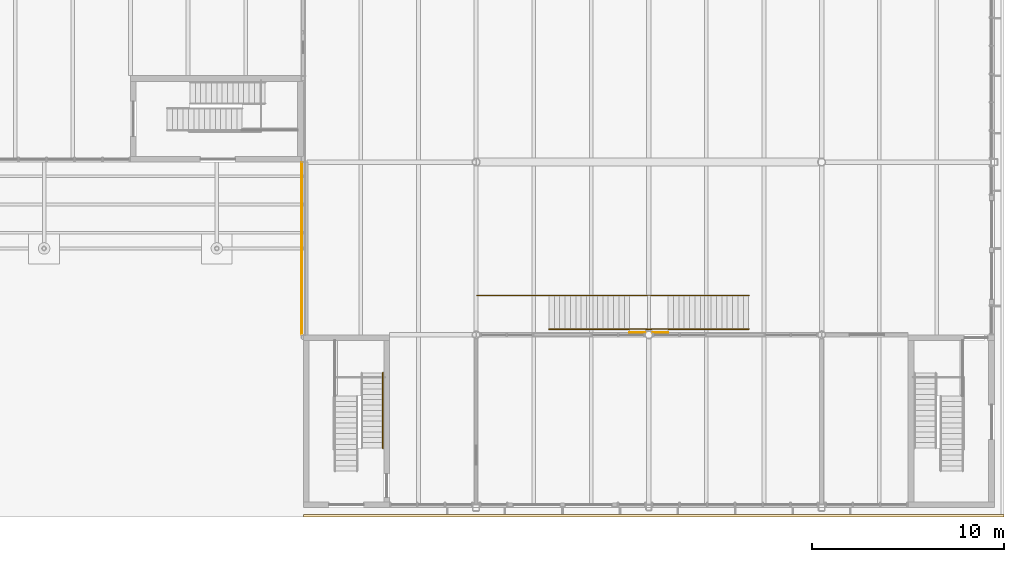
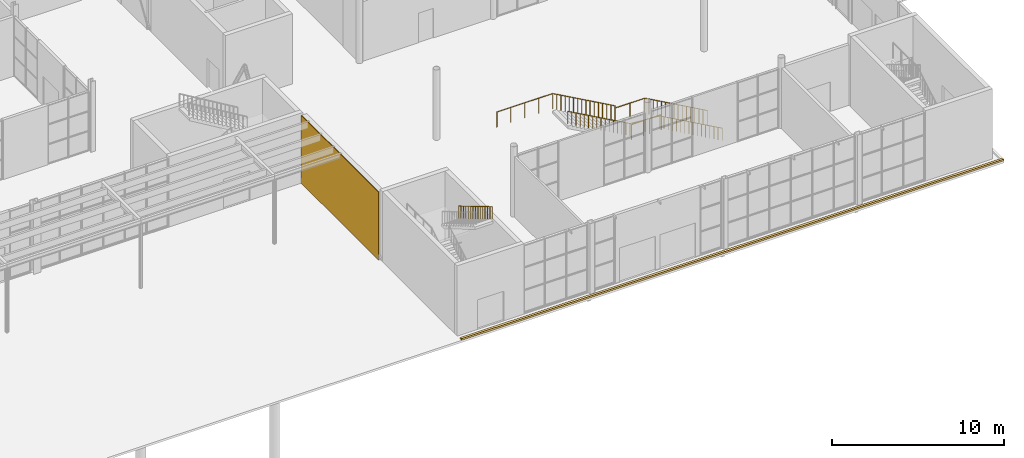
# One storey, part 57 of 63: 5 railings, 2 coverings.
"""IFC4 building model written with IfcOpenShell, lengths in metres."""

from ifc_helpers import new_model, si_unit, direction, frame, frame_2d, origin, origin_2d, place, context, subcontext, project, spatial, polyline, rectangle, circle, outline, extrude, material, layer, layer_set, type_object, element, save


model = new_model("IFC4")

# Units and contexts
model_context = context("Model", 3, precision=1e-05, world=origin(), true_north=direction((0.0, 1.0)))
body_context = subcontext(model_context, "Body", "Model", "MODEL_VIEW")
ifc_project = project(units=[si_unit("LENGTHUNIT", "METRE"), si_unit("AREAUNIT", "SQUARE_METRE"), si_unit("VOLUMEUNIT", "CUBIC_METRE"), si_unit("PLANEANGLEUNIT", "RADIAN"), si_unit("MASSUNIT", "GRAM", prefix="KILO")], contexts=[model_context])

# Site, building, storey
site_placement = place(None, origin())
site = spatial("IfcSite", under=ifc_project, at=site_placement, CompositionType="ELEMENT")
building_placement = place(site_placement, origin())
building = spatial("IfcBuilding", under=site, at=building_placement, Name="Halyard Row Museum", CompositionType="ELEMENT")
storey_placement = place(building_placement, origin())
storey = spatial("IfcBuildingStorey", under=building, at=storey_placement, Name="L00", CompositionType="ELEMENT", Elevation=0.0)

# Railings
ifc_material_1 = material(Name="Steel Grade 300", Category="steel")
railing_type_1 = type_object("IfcRailingType", Name="Guard GR2 steel balustrade 1100", PredefinedType="GUARDRAIL", material=ifc_material_1)
railing_1_placement = place(storey_placement, frame((95.199951171875, 11.050048828125, 0.15625)))
element("IfcRailing", 1, at=railing_1_placement, inside=storey, type_object=railing_type_1, Name="Guard GR128", PredefinedType="GUARDRAIL", context=body_context, shape_type="SweptSolid", body=[
    extrude(circle(Radius=0.02392578125, at=origin_2d()), frame((0.0, 0.0, 1.076171875), z_axis=(-0.873257974695, 0.0, 0.487258155017), x_axis=(0.0, -1.0, 0.0)), (0.0, 0.0, 1.0), 0.320556640625),
    extrude(circle(Radius=0.02392578125, at=origin_2d()), frame((-0.280029296875, 0.0, 1.232421875), z_axis=(-0.873257974695, 0.0, 0.487258155017), x_axis=(0.0, -1.0, 0.0)), (0.0, 0.0, 1.0), 0.320556640625),
    extrude(circle(Radius=0.02392578125, at=origin_2d()), frame((-0.56005859375, 0.0, 1.388671875), z_axis=(-0.873077036347, 0.0, 0.487582289059), x_axis=(0.0, -1.0, 0.0)), (0.0, 0.0, 1.0), 0.320556640625),
    extrude(circle(Radius=0.02392578125, at=origin_2d()), frame((-0.83984375, 0.0, 1.544921875), z_axis=(-0.873257974695, 0.0, 0.487258155017), x_axis=(0.0, -1.0, 0.0)), (0.0, 0.0, 1.0), 0.320556640625),
    extrude(circle(Radius=0.02392578125, at=origin_2d()), frame((-1.119873046875, 0.0, 1.701171875), z_axis=(-0.873257974695, 0.0, 0.487258155017), x_axis=(0.0, -1.0, 0.0)), (0.0, 0.0, 1.0), 0.320556640625),
    extrude(circle(Radius=0.02392578125, at=origin_2d()), frame((-1.39990234375, 0.0, 1.857421875), z_axis=(-0.873257974695, 0.0, 0.487258155017), x_axis=(0.0, -1.0, 0.0)), (0.0, 0.0, 1.0), 0.320556640625),
    extrude(circle(Radius=0.02392578125, at=origin_2d()), frame((-1.679931640625, 0.0, 2.013671875), z_axis=(-0.873257974695, 0.0, 0.487258155017), x_axis=(0.0, -1.0, 0.0)), (0.0, 0.0, 1.0), 0.320556640625),
    extrude(circle(Radius=0.02392578125, at=origin_2d()), frame((-1.9599609375, 0.0, 2.169921875), z_axis=(-0.873257974695, 0.0, 0.487258155017), x_axis=(0.0, -1.0, 0.0)), (0.0, 0.0, 1.0), 0.320556640625),
    extrude(circle(Radius=0.02392578125, at=origin_2d()), frame((-2.239990234375, 0.0, 2.326171875), z_axis=(-0.873257974695, 0.0, 0.487258155017), x_axis=(0.0, -1.0, 0.0)), (0.0, 0.0, 1.0), 0.320556640625),
    extrude(circle(Radius=0.02392578125, at=origin_2d()), frame((-2.52001953125, 0.0, 2.482421875), z_axis=(-0.873257974695, 0.0, 0.487258155017), x_axis=(0.0, -1.0, 0.0)), (0.0, 0.0, 1.0), 0.320556640625),
    extrude(circle(Radius=0.02392578125, at=origin_2d()), frame((-2.800048828125, 0.0, 2.638671875), z_axis=(-0.873077036347, 0.0, 0.487582289059), x_axis=(0.0, -1.0, 0.0)), (0.0, 0.0, 1.0), 0.320556640625),
    extrude(circle(Radius=0.02392578125, at=origin_2d()), frame((-3.079833984375, 0.0, 2.794921875), z_axis=(-0.873257974695, 0.0, 0.487258155017), x_axis=(0.0, -1.0, 0.0)), (0.0, 0.0, 1.0), 0.320556640625),
    extrude(circle(Radius=0.02392578125, at=origin_2d()), frame((-3.35986328125, 0.0, 2.951171875), z_axis=(-0.873257974695, 0.0, 0.487258155017), x_axis=(0.0, -1.0, 0.0)), (0.0, 0.0, 1.0), 0.320556640625),
    extrude(circle(Radius=0.02392578125, at=origin_2d()), frame((-3.639892578125, 0.0, 3.107421875), z_axis=(-0.873257974695, 0.0, 0.487258155017), x_axis=(0.0, -1.0, 0.0)), (0.0, 0.0, 1.0), 0.320556640625),
    extrude(circle(Radius=0.02392578125, at=origin_2d()), frame((-3.919921875, 0.0, 3.263671875), z_axis=(-0.873257974695, 0.0, 0.487258155017), x_axis=(0.0, -1.0, 0.0)), (0.0, 0.0, 1.0), 0.320556640625),
    extrude(circle(Radius=0.02392578125, at=origin_2d()), frame((-4.199951171875, 0.0, 3.419921875), z_axis=(-1.0, 0.0, 0.0), x_axis=(0.0, -1.0, 0.0)), (0.0, 0.0, 1.0), 2.0),
    extrude(circle(Radius=0.02392578125, at=origin_2d()), frame((-6.199951171875, 0.0, 3.419921875), z_axis=(0.0, 0.0, 1.0), x_axis=(1.0, 0.0, 0.0)), (0.0, 0.0, 1.0), 0.15625),
    extrude(circle(Radius=0.02392578125, at=origin_2d()), frame((-6.199951171875, 0.0, 3.576171875), z_axis=(-0.873257974695, 0.0, 0.487258155017), x_axis=(0.0, -1.0, 0.0)), (0.0, 0.0, 1.0), 0.320556640625),
    extrude(circle(Radius=0.02392578125, at=origin_2d()), frame((-6.47998046875, 0.0, 3.732421875), z_axis=(-0.873257974695, 0.0, 0.487258155017), x_axis=(0.0, -1.0, 0.0)), (0.0, 0.0, 1.0), 0.320556640625),
    extrude(circle(Radius=0.02392578125, at=origin_2d()), frame((-6.760009765625, 0.0, 3.888671875), z_axis=(-0.873257974695, 0.0, 0.487258155017), x_axis=(0.0, -1.0, 0.0)), (0.0, 0.0, 1.0), 0.320556640625),
    extrude(circle(Radius=0.02392578125, at=origin_2d()), frame((-7.0400390625, 0.0, 4.044921875), z_axis=(-0.873257974695, 0.0, 0.487258155017), x_axis=(0.0, -1.0, 0.0)), (0.0, 0.0, 1.0), 0.320556640625),
    extrude(circle(Radius=0.02392578125, at=origin_2d()), frame((-7.320068359375, 0.0, 4.201171875), z_axis=(-0.873077036347, 0.0, 0.487582289059), x_axis=(0.0, -1.0, 0.0)), (0.0, 0.0, 1.0), 0.320556640625),
    extrude(circle(Radius=0.02392578125, at=origin_2d()), frame((-7.599853515625, 0.0, 4.357421875), z_axis=(-0.873257974695, 0.0, 0.487258155017), x_axis=(0.0, -1.0, 0.0)), (0.0, 0.0, 1.0), 0.320556640625),
    extrude(circle(Radius=0.02392578125, at=origin_2d()), frame((-7.8798828125, 0.0, 4.513671875), z_axis=(-0.873257974695, 0.0, 0.487258155017), x_axis=(0.0, -1.0, 0.0)), (0.0, 0.0, 1.0), 0.320556640625),
    extrude(circle(Radius=0.02392578125, at=origin_2d()), frame((-8.159912109375, 0.0, 4.669921875), z_axis=(-0.873257974695, 0.0, 0.487258155017), x_axis=(0.0, -1.0, 0.0)), (0.0, 0.0, 1.0), 0.320556640625),
    extrude(circle(Radius=0.02392578125, at=origin_2d()), frame((-8.43994140625, 0.0, 4.826171875), z_axis=(-0.873257974695, 0.0, 0.487258155017), x_axis=(0.0, -1.0, 0.0)), (0.0, 0.0, 1.0), 0.320556640625),
    extrude(circle(Radius=0.02392578125, at=origin_2d()), frame((-8.719970703125, 0.0, 4.982421875), z_axis=(-0.873257974695, 0.0, 0.487258155017), x_axis=(0.0, -1.0, 0.0)), (0.0, 0.0, 1.0), 0.320556640625),
    extrude(circle(Radius=0.02392578125, at=origin_2d()), frame((-9.0, 0.0, 5.138671875), z_axis=(-0.873257974695, 0.0, 0.487258155017), x_axis=(0.0, -1.0, 0.0)), (0.0, 0.0, 1.0), 0.320556640625),
    extrude(circle(Radius=0.02392578125, at=origin_2d()), frame((-9.280029296875, 0.0, 5.294921875), z_axis=(-0.873257974695, 0.0, 0.487258155017), x_axis=(0.0, -1.0, 0.0)), (0.0, 0.0, 1.0), 0.320556640625),
    extrude(circle(Radius=0.02392578125, at=origin_2d()), frame((-9.56005859375, 0.0, 5.451171875), z_axis=(-0.873077036347, 0.0, 0.487582289059), x_axis=(0.0, -1.0, 0.0)), (0.0, 0.0, 1.0), 0.320556640625),
    extrude(circle(Radius=0.02392578125, at=origin_2d()), frame((-9.83984375, 0.0, 5.607421875), z_axis=(-0.873257974695, 0.0, 0.487258155017), x_axis=(0.0, -1.0, 0.0)), (0.0, 0.0, 1.0), 0.320556640625),
    extrude(circle(Radius=0.02392578125, at=origin_2d()), frame((-10.119873046875, 0.0, 5.763671875), z_axis=(-0.873257974695, 0.0, 0.487258155017), x_axis=(0.0, -1.0, 0.0)), (0.0, 0.0, 1.0), 0.320556640625),
    extrude(circle(Radius=0.02392578125, at=origin_2d()), frame((-10.39990234375, 0.0, 5.919921875), z_axis=(-1.0, 0.0, 0.0), x_axis=(0.0, -1.0, 0.0)), (0.0, 0.0, 1.0), 3.75),
    extrude(circle(Radius=0.02099609375, at=origin_2d()), origin(), (0.0, 0.0, 1.0), 1.052001953125),
    extrude(circle(Radius=0.02099609375, at=origin_2d()), frame((-0.280029296875, 0.0, 0.15625)), (0.0, 0.0, 1.0), 1.052001953125),
    extrude(circle(Radius=0.02099609375, at=origin_2d()), frame((-0.56005859375, 0.0, 0.3125)), (0.0, 0.0, 1.0), 1.052001953125),
    extrude(circle(Radius=0.02099609375, at=origin_2d()), frame((-0.83984375, 0.0, 0.46875)), (0.0, 0.0, 1.0), 1.052001953125),
    extrude(circle(Radius=0.02099609375, at=origin_2d()), frame((-1.119873046875, 0.0, 0.625)), (0.0, 0.0, 1.0), 1.052001953125),
    extrude(circle(Radius=0.02099609375, at=origin_2d()), frame((-1.39990234375, 0.0, 0.78125)), (0.0, 0.0, 1.0), 1.052001953125),
    extrude(circle(Radius=0.02099609375, at=origin_2d()), frame((-1.679931640625, 0.0, 0.9375)), (0.0, 0.0, 1.0), 1.052001953125),
    extrude(circle(Radius=0.02099609375, at=origin_2d()), frame((-1.9599609375, 0.0, 1.09375)), (0.0, 0.0, 1.0), 1.052001953125),
    extrude(circle(Radius=0.02099609375, at=origin_2d()), frame((-2.239990234375, 0.0, 1.25)), (0.0, 0.0, 1.0), 1.052001953125),
    extrude(circle(Radius=0.02099609375, at=origin_2d()), frame((-2.52001953125, 0.0, 1.40625)), (0.0, 0.0, 1.0), 1.052001953125),
    extrude(circle(Radius=0.02099609375, at=origin_2d()), frame((-2.800048828125, 0.0, 1.5625)), (0.0, 0.0, 1.0), 1.052001953125),
    extrude(circle(Radius=0.02099609375, at=origin_2d()), frame((-3.079833984375, 0.0, 1.71875)), (0.0, 0.0, 1.0), 1.052001953125),
    extrude(circle(Radius=0.02099609375, at=origin_2d()), frame((-3.35986328125, 0.0, 1.875)), (0.0, 0.0, 1.0), 1.052001953125),
    extrude(circle(Radius=0.02099609375, at=origin_2d()), frame((-3.639892578125, 0.0, 2.03125)), (0.0, 0.0, 1.0), 1.052001953125),
    extrude(circle(Radius=0.02099609375, at=origin_2d()), frame((-3.919921875, 0.0, 2.1875)), (0.0, 0.0, 1.0), 1.052001953125),
    extrude(circle(Radius=0.02099609375, at=origin_2d()), frame((-4.199951171875, 0.0, 2.34375)), (0.0, 0.0, 1.0), 1.052001953125),
    extrude(circle(Radius=0.02099609375, at=origin_2d()), frame((-5.199951171875, 0.0, 2.34375)), (0.0, 0.0, 1.0), 1.052001953125),
    extrude(circle(Radius=0.02099609375, at=origin_2d()), frame((-6.199951171875, 0.0, 2.34375)), (0.0, 0.0, 1.0), 1.052001953125),
    extrude(circle(Radius=0.02099609375, at=origin_2d()), frame((-6.199951171875, 0.0, 2.5)), (0.0, 0.0, 1.0), 1.052001953125),
    extrude(circle(Radius=0.02099609375, at=origin_2d()), frame((-6.47998046875, 0.0, 2.65625)), (0.0, 0.0, 1.0), 1.052001953125),
    extrude(circle(Radius=0.02099609375, at=origin_2d()), frame((-6.760009765625, 0.0, 2.8125)), (0.0, 0.0, 1.0), 1.052001953125),
    extrude(circle(Radius=0.02099609375, at=origin_2d()), frame((-7.0400390625, 0.0, 2.96875)), (0.0, 0.0, 1.0), 1.052001953125),
    extrude(circle(Radius=0.02099609375, at=origin_2d()), frame((-7.320068359375, 0.0, 3.125)), (0.0, 0.0, 1.0), 1.052001953125),
    extrude(circle(Radius=0.02099609375, at=origin_2d()), frame((-7.599853515625, 0.0, 3.28125)), (0.0, 0.0, 1.0), 1.052001953125),
    extrude(circle(Radius=0.02099609375, at=origin_2d()), frame((-7.8798828125, 0.0, 3.4375)), (0.0, 0.0, 1.0), 1.052001953125),
    extrude(circle(Radius=0.02099609375, at=origin_2d()), frame((-8.159912109375, 0.0, 3.59375)), (0.0, 0.0, 1.0), 1.052001953125),
    extrude(circle(Radius=0.02099609375, at=origin_2d()), frame((-8.43994140625, 0.0, 3.75)), (0.0, 0.0, 1.0), 1.052001953125),
    extrude(circle(Radius=0.02099609375, at=origin_2d()), frame((-8.719970703125, 0.0, 3.90625)), (0.0, 0.0, 1.0), 1.052001953125),
    extrude(circle(Radius=0.02099609375, at=origin_2d()), frame((-9.0, 0.0, 4.0625)), (0.0, 0.0, 1.0), 1.052001953125),
    extrude(circle(Radius=0.02099609375, at=origin_2d()), frame((-9.280029296875, 0.0, 4.21875)), (0.0, 0.0, 1.0), 1.052001953125),
    extrude(circle(Radius=0.02099609375, at=origin_2d()), frame((-9.56005859375, 0.0, 4.375)), (0.0, 0.0, 1.0), 1.052001953125),
    extrude(circle(Radius=0.02099609375, at=origin_2d()), frame((-9.83984375, 0.0, 4.53125)), (0.0, 0.0, 1.0), 1.052001953125),
    extrude(circle(Radius=0.02099609375, at=origin_2d()), frame((-10.119873046875, 0.0, 4.6875)), (0.0, 0.0, 1.0), 1.052001953125),
    extrude(circle(Radius=0.02099609375, at=origin_2d()), frame((-10.39990234375, 0.0, 4.84375)), (0.0, 0.0, 1.0), 1.052001953125),
    extrude(circle(Radius=0.02099609375, at=origin_2d()), frame((-11.33740234375, 0.0, 4.84375)), (0.0, 0.0, 1.0), 1.052001953125),
    extrude(circle(Radius=0.02099609375, at=origin_2d()), frame((-12.27490234375, 0.0, 4.84375)), (0.0, 0.0, 1.0), 1.052001953125),
    extrude(circle(Radius=0.02099609375, at=origin_2d()), frame((-13.21240234375, 0.0, 4.84375)), (0.0, 0.0, 1.0), 1.052001953125),
    extrude(circle(Radius=0.02099609375, at=origin_2d()), frame((-14.14990234375, 0.0, 4.84375)), (0.0, 0.0, 1.0), 1.052001953125),
])
for number, where, name in (
    (2, (91.0, 9.1201171875, 2.5), "Guard GR129"),
    (3, (89.805908203125, 9.1201171875, 2.5), "Guard GR130"),
):
    element("IfcRailing", number, at=place(storey_placement, frame(where)), inside=storey, type_object=railing_type_1, Name=name, PredefinedType="GUARDRAIL", context=body_context, shape_type="SweptSolid", body=[
        extrude(circle(Radius=0.02392578125, at=origin_2d()), frame((0.0, 0.0, 1.076171875), z_axis=(-1.0, 0.0, 0.0), x_axis=(0.0, -1.0, 0.0)), (0.0, 0.0, 1.0), 0.805908203125),
        extrude(circle(Radius=0.02099609375, at=origin_2d()), origin(), (0.0, 0.0, 1.0), 1.052001953125),
        extrude(circle(Radius=0.02099609375, at=origin_2d()), frame((-0.805908203125, 0.0, 0.0)), (0.0, 0.0, 1.0), 1.052001953125),
    ])
ifc_material_2 = material(Name="Steel Grade 300", Category="steel")
railing_type_2 = type_object("IfcRailingType", Name="Handrail HR2 steel 900", PredefinedType="HANDRAIL", material=ifc_material_2)
railing_2_placement = place(storey_placement, frame((76.14990234375, 7.02001953125, 2.666748046875)))
element("IfcRailing", 4, at=railing_2_placement, inside=storey, type_object=railing_type_2, Name="Handrail HR059", PredefinedType="HANDRAIL", context=body_context, shape_type="SweptSolid", body=[
    extrude(circle(Radius=0.02392578125, at=origin_2d()), frame((0.0, 0.0, 0.8759765625), z_axis=(0.0, -0.859535888021, 0.511075392877), x_axis=(1.0, 0.0, 0.0)), (0.0, 0.0, 1.0), 0.32568359375),
    extrude(circle(Radius=0.02392578125, at=origin_2d()), frame((0.0, -0.280029296875, 1.04248046875), z_axis=(0.0, -0.859206643714, 0.511628716353), x_axis=(1.0, 0.0, 0.0)), (0.0, 0.0, 1.0), 0.325927734375),
    extrude(circle(Radius=0.02392578125, at=origin_2d()), frame((0.0, -0.56005859375, 1.208984375), z_axis=(0.0, -0.859206643714, 0.511628716353), x_axis=(1.0, 0.0, 0.0)), (0.0, 0.0, 1.0), 0.325927734375),
    extrude(circle(Radius=0.02392578125, at=origin_2d()), frame((0.0, -0.840087890625, 1.3759765625), z_axis=(0.0, -0.859535888021, 0.511075392877), x_axis=(1.0, 0.0, 0.0)), (0.0, 0.0, 1.0), 0.32568359375),
    extrude(circle(Radius=0.02392578125, at=origin_2d()), frame((0.0, -1.1201171875, 1.54248046875), z_axis=(0.0, -0.859010369412, 0.511958187006), x_axis=(1.0, 0.0, 0.0)), (0.0, 0.0, 1.0), 0.32568359375),
    extrude(circle(Radius=0.02392578125, at=origin_2d()), frame((0.0, -1.39990234375, 1.708984375), z_axis=(0.0, -0.859206643714, 0.511628716353), x_axis=(1.0, 0.0, 0.0)), (0.0, 0.0, 1.0), 0.325927734375),
    extrude(circle(Radius=0.02392578125, at=origin_2d()), frame((0.0, -1.679931640625, 1.8759765625), z_axis=(0.0, -0.859535888021, 0.511075392877), x_axis=(1.0, 0.0, 0.0)), (0.0, 0.0, 1.0), 0.32568359375),
    extrude(circle(Radius=0.02392578125, at=origin_2d()), frame((0.0, -1.9599609375, 2.04248046875), z_axis=(0.0, -0.859206643714, 0.511628716353), x_axis=(1.0, 0.0, 0.0)), (0.0, 0.0, 1.0), 0.325927734375),
    extrude(circle(Radius=0.02392578125, at=origin_2d()), frame((0.0, -2.239990234375, 2.208984375), z_axis=(0.0, -0.859206643714, 0.511628716353), x_axis=(1.0, 0.0, 0.0)), (0.0, 0.0, 1.0), 0.325927734375),
    extrude(circle(Radius=0.02392578125, at=origin_2d()), frame((0.0, -2.52001953125, 2.3759765625), z_axis=(0.0, -0.859535888021, 0.511075392877), x_axis=(1.0, 0.0, 0.0)), (0.0, 0.0, 1.0), 0.32568359375),
    extrude(circle(Radius=0.02392578125, at=origin_2d()), frame((0.0, -2.800048828125, 2.54248046875), z_axis=(0.0, -0.859206643714, 0.511628716353), x_axis=(1.0, 0.0, 0.0)), (0.0, 0.0, 1.0), 0.325927734375),
    extrude(circle(Radius=0.02392578125, at=origin_2d()), frame((0.0, -3.080078125, 2.708984375), z_axis=(0.0, -0.859206643714, 0.511628716353), x_axis=(1.0, 0.0, 0.0)), (0.0, 0.0, 1.0), 0.325927734375),
    extrude(circle(Radius=0.02392578125, at=origin_2d()), frame((0.0, -3.360107421875, 2.8759765625), z_axis=(0.0, -0.859535888021, 0.511075392877), x_axis=(1.0, 0.0, 0.0)), (0.0, 0.0, 1.0), 0.32568359375),
    extrude(circle(Radius=0.02392578125, at=origin_2d()), frame((0.0, -3.64013671875, 3.04248046875), z_axis=(0.0, -0.859010369412, 0.511958187006), x_axis=(1.0, 0.0, 0.0)), (0.0, 0.0, 1.0), 0.32568359375),
    extrude(circle(Radius=0.02099609375, at=origin_2d()), origin(), (0.0, 0.0, 1.0), 0.851806640625),
    extrude(circle(Radius=0.02099609375, at=origin_2d()), frame((0.0, -0.280029296875, 0.16650390625)), (0.0, 0.0, 1.0), 0.851806640625),
    extrude(circle(Radius=0.02099609375, at=origin_2d()), frame((0.0, -0.56005859375, 0.333251953125)), (0.0, 0.0, 1.0), 0.851806640625),
    extrude(circle(Radius=0.02099609375, at=origin_2d()), frame((0.0, -0.840087890625, 0.5)), (0.0, 0.0, 1.0), 0.851806640625),
    extrude(circle(Radius=0.02099609375, at=origin_2d()), frame((0.0, -1.1201171875, 0.66650390625)), (0.0, 0.0, 1.0), 0.851806640625),
    extrude(circle(Radius=0.02099609375, at=origin_2d()), frame((0.0, -1.39990234375, 0.833251953125)), (0.0, 0.0, 1.0), 0.851806640625),
    extrude(circle(Radius=0.02099609375, at=origin_2d()), frame((0.0, -1.679931640625, 1.0)), (0.0, 0.0, 1.0), 0.851806640625),
    extrude(circle(Radius=0.02099609375, at=origin_2d()), frame((0.0, -1.9599609375, 1.16650390625)), (0.0, 0.0, 1.0), 0.851806640625),
    extrude(circle(Radius=0.02099609375, at=origin_2d()), frame((0.0, -2.239990234375, 1.333251953125)), (0.0, 0.0, 1.0), 0.851806640625),
    extrude(circle(Radius=0.02099609375, at=origin_2d()), frame((0.0, -2.52001953125, 1.5)), (0.0, 0.0, 1.0), 0.851806640625),
    extrude(circle(Radius=0.02099609375, at=origin_2d()), frame((0.0, -2.800048828125, 1.66650390625)), (0.0, 0.0, 1.0), 0.851806640625),
    extrude(circle(Radius=0.02099609375, at=origin_2d()), frame((0.0, -3.080078125, 1.833251953125)), (0.0, 0.0, 1.0), 0.851806640625),
    extrude(circle(Radius=0.02099609375, at=origin_2d()), frame((0.0, -3.360107421875, 2.0)), (0.0, 0.0, 1.0), 0.851806640625),
    extrude(circle(Radius=0.02099609375, at=origin_2d()), frame((0.0, -3.64013671875, 2.16650390625)), (0.0, 0.0, 1.0), 0.851806640625),
    extrude(circle(Radius=0.02099609375, at=origin_2d()), frame((0.0, -3.919921875, 2.333251953125)), (0.0, 0.0, 1.0), 0.851806640625),
])
railing_3_placement = place(storey_placement, frame((95.199951171875, 9.300048828125, 0.15625)))
element("IfcRailing", 5, at=railing_3_placement, inside=storey, type_object=railing_type_2, Name="Handrail HR151", PredefinedType="HANDRAIL", context=body_context, shape_type="SweptSolid", body=[
    extrude(circle(Radius=0.02392578125, at=origin_2d()), frame((0.0, 0.0, 0.8759765625), z_axis=(-0.873257974695, 0.0, 0.487258155017), x_axis=(0.0, -1.0, 0.0)), (0.0, 0.0, 1.0), 0.320556640625),
    extrude(circle(Radius=0.02392578125, at=origin_2d()), frame((-0.280029296875, 0.0, 1.0322265625), z_axis=(-0.873257974695, 0.0, 0.487258155017), x_axis=(0.0, -1.0, 0.0)), (0.0, 0.0, 1.0), 0.320556640625),
    extrude(circle(Radius=0.02392578125, at=origin_2d()), frame((-0.56005859375, 0.0, 1.1884765625), z_axis=(-0.873077036347, 0.0, 0.487582289059), x_axis=(0.0, -1.0, 0.0)), (0.0, 0.0, 1.0), 0.320556640625),
    extrude(circle(Radius=0.02392578125, at=origin_2d()), frame((-0.83984375, 0.0, 1.3447265625), z_axis=(-0.873257974695, 0.0, 0.487258155017), x_axis=(0.0, -1.0, 0.0)), (0.0, 0.0, 1.0), 0.320556640625),
    extrude(circle(Radius=0.02392578125, at=origin_2d()), frame((-1.119873046875, 0.0, 1.5009765625), z_axis=(-0.873257974695, 0.0, 0.487258155017), x_axis=(0.0, -1.0, 0.0)), (0.0, 0.0, 1.0), 0.320556640625),
    extrude(circle(Radius=0.02392578125, at=origin_2d()), frame((-1.39990234375, 0.0, 1.6572265625), z_axis=(-0.873257974695, 0.0, 0.487258155017), x_axis=(0.0, -1.0, 0.0)), (0.0, 0.0, 1.0), 0.320556640625),
    extrude(circle(Radius=0.02392578125, at=origin_2d()), frame((-1.679931640625, 0.0, 1.8134765625), z_axis=(-0.873257974695, 0.0, 0.487258155017), x_axis=(0.0, -1.0, 0.0)), (0.0, 0.0, 1.0), 0.320556640625),
    extrude(circle(Radius=0.02392578125, at=origin_2d()), frame((-1.9599609375, 0.0, 1.9697265625), z_axis=(-0.873257974695, 0.0, 0.487258155017), x_axis=(0.0, -1.0, 0.0)), (0.0, 0.0, 1.0), 0.320556640625),
    extrude(circle(Radius=0.02392578125, at=origin_2d()), frame((-2.239990234375, 0.0, 2.1259765625), z_axis=(-0.873257974695, 0.0, 0.487258155017), x_axis=(0.0, -1.0, 0.0)), (0.0, 0.0, 1.0), 0.320556640625),
    extrude(circle(Radius=0.02392578125, at=origin_2d()), frame((-2.52001953125, 0.0, 2.2822265625), z_axis=(-0.873257974695, 0.0, 0.487258155017), x_axis=(0.0, -1.0, 0.0)), (0.0, 0.0, 1.0), 0.320556640625),
    extrude(circle(Radius=0.02392578125, at=origin_2d()), frame((-2.800048828125, 0.0, 2.4384765625), z_axis=(-0.873077036347, 0.0, 0.487582289059), x_axis=(0.0, -1.0, 0.0)), (0.0, 0.0, 1.0), 0.320556640625),
    extrude(circle(Radius=0.02392578125, at=origin_2d()), frame((-3.079833984375, 0.0, 2.5947265625), z_axis=(-0.873257974695, 0.0, 0.487258155017), x_axis=(0.0, -1.0, 0.0)), (0.0, 0.0, 1.0), 0.320556640625),
    extrude(circle(Radius=0.02392578125, at=origin_2d()), frame((-3.35986328125, 0.0, 2.7509765625), z_axis=(-0.873257974695, 0.0, 0.487258155017), x_axis=(0.0, -1.0, 0.0)), (0.0, 0.0, 1.0), 0.320556640625),
    extrude(circle(Radius=0.02392578125, at=origin_2d()), frame((-3.639892578125, 0.0, 2.9072265625), z_axis=(-0.873257974695, 0.0, 0.487258155017), x_axis=(0.0, -1.0, 0.0)), (0.0, 0.0, 1.0), 0.320556640625),
    extrude(circle(Radius=0.02392578125, at=origin_2d()), frame((-3.919921875, 0.0, 3.0634765625), z_axis=(-0.873257974695, 0.0, 0.487258155017), x_axis=(0.0, -1.0, 0.0)), (0.0, 0.0, 1.0), 0.320556640625),
    extrude(circle(Radius=0.02392578125, at=origin_2d()), frame((-4.199951171875, 0.0, 3.2197265625), z_axis=(-0.996962141349, 0.0, 0.077887667293), x_axis=(0.0, -1.0, 0.0)), (0.0, 0.0, 1.0), 2.006103515625),
    extrude(circle(Radius=0.02392578125, at=origin_2d()), frame((-6.199951171875, 0.0, 3.3759765625), z_axis=(-0.873257974695, 0.0, 0.487258155017), x_axis=(0.0, -1.0, 0.0)), (0.0, 0.0, 1.0), 0.320556640625),
    extrude(circle(Radius=0.02392578125, at=origin_2d()), frame((-6.47998046875, 0.0, 3.5322265625), z_axis=(-0.873257974695, 0.0, 0.487258155017), x_axis=(0.0, -1.0, 0.0)), (0.0, 0.0, 1.0), 0.320556640625),
    extrude(circle(Radius=0.02392578125, at=origin_2d()), frame((-6.760009765625, 0.0, 3.6884765625), z_axis=(-0.873257974695, 0.0, 0.487258155017), x_axis=(0.0, -1.0, 0.0)), (0.0, 0.0, 1.0), 0.320556640625),
    extrude(circle(Radius=0.02392578125, at=origin_2d()), frame((-7.0400390625, 0.0, 3.8447265625), z_axis=(-0.873257974695, 0.0, 0.487258155017), x_axis=(0.0, -1.0, 0.0)), (0.0, 0.0, 1.0), 0.320556640625),
    extrude(circle(Radius=0.02392578125, at=origin_2d()), frame((-7.320068359375, 0.0, 4.0009765625), z_axis=(-0.873077036347, 0.0, 0.487582289059), x_axis=(0.0, -1.0, 0.0)), (0.0, 0.0, 1.0), 0.320556640625),
    extrude(circle(Radius=0.02392578125, at=origin_2d()), frame((-7.599853515625, 0.0, 4.1572265625), z_axis=(-0.873257974695, 0.0, 0.487258155017), x_axis=(0.0, -1.0, 0.0)), (0.0, 0.0, 1.0), 0.320556640625),
    extrude(circle(Radius=0.02392578125, at=origin_2d()), frame((-7.8798828125, 0.0, 4.3134765625), z_axis=(-0.873257974695, 0.0, 0.487258155017), x_axis=(0.0, -1.0, 0.0)), (0.0, 0.0, 1.0), 0.320556640625),
    extrude(circle(Radius=0.02392578125, at=origin_2d()), frame((-8.159912109375, 0.0, 4.4697265625), z_axis=(-0.873257974695, 0.0, 0.487258155017), x_axis=(0.0, -1.0, 0.0)), (0.0, 0.0, 1.0), 0.320556640625),
    extrude(circle(Radius=0.02392578125, at=origin_2d()), frame((-8.43994140625, 0.0, 4.6259765625), z_axis=(-0.873257974695, 0.0, 0.487258155017), x_axis=(0.0, -1.0, 0.0)), (0.0, 0.0, 1.0), 0.320556640625),
    extrude(circle(Radius=0.02392578125, at=origin_2d()), frame((-8.719970703125, 0.0, 4.7822265625), z_axis=(-0.873257974695, 0.0, 0.487258155017), x_axis=(0.0, -1.0, 0.0)), (0.0, 0.0, 1.0), 0.320556640625),
    extrude(circle(Radius=0.02392578125, at=origin_2d()), frame((-9.0, 0.0, 4.9384765625), z_axis=(-0.873257974695, 0.0, 0.487258155017), x_axis=(0.0, -1.0, 0.0)), (0.0, 0.0, 1.0), 0.320556640625),
    extrude(circle(Radius=0.02392578125, at=origin_2d()), frame((-9.280029296875, 0.0, 5.0947265625), z_axis=(-0.873257974695, 0.0, 0.487258155017), x_axis=(0.0, -1.0, 0.0)), (0.0, 0.0, 1.0), 0.320556640625),
    extrude(circle(Radius=0.02392578125, at=origin_2d()), frame((-9.56005859375, 0.0, 5.2509765625), z_axis=(-0.873077036347, 0.0, 0.487582289059), x_axis=(0.0, -1.0, 0.0)), (0.0, 0.0, 1.0), 0.320556640625),
    extrude(circle(Radius=0.02392578125, at=origin_2d()), frame((-9.83984375, 0.0, 5.4072265625), z_axis=(-0.873257974695, 0.0, 0.487258155017), x_axis=(0.0, -1.0, 0.0)), (0.0, 0.0, 1.0), 0.320556640625),
    extrude(circle(Radius=0.02392578125, at=origin_2d()), frame((-10.119873046875, 0.0, 5.5634765625), z_axis=(-0.873257974695, 0.0, 0.487258155017), x_axis=(0.0, -1.0, 0.0)), (0.0, 0.0, 1.0), 0.320556640625),
    extrude(circle(Radius=0.02099609375, at=origin_2d()), origin(), (0.0, 0.0, 1.0), 0.851806640625),
    extrude(circle(Radius=0.02099609375, at=origin_2d()), frame((-0.280029296875, 0.0, 0.15625)), (0.0, 0.0, 1.0), 0.851806640625),
    extrude(circle(Radius=0.02099609375, at=origin_2d()), frame((-0.56005859375, 0.0, 0.3125)), (0.0, 0.0, 1.0), 0.851806640625),
    extrude(circle(Radius=0.02099609375, at=origin_2d()), frame((-0.83984375, 0.0, 0.46875)), (0.0, 0.0, 1.0), 0.851806640625),
    extrude(circle(Radius=0.02099609375, at=origin_2d()), frame((-1.119873046875, 0.0, 0.625)), (0.0, 0.0, 1.0), 0.851806640625),
    extrude(circle(Radius=0.02099609375, at=origin_2d()), frame((-1.39990234375, 0.0, 0.78125)), (0.0, 0.0, 1.0), 0.851806640625),
    extrude(circle(Radius=0.02099609375, at=origin_2d()), frame((-1.679931640625, 0.0, 0.9375)), (0.0, 0.0, 1.0), 0.851806640625),
    extrude(circle(Radius=0.02099609375, at=origin_2d()), frame((-1.9599609375, 0.0, 1.09375)), (0.0, 0.0, 1.0), 0.851806640625),
    extrude(circle(Radius=0.02099609375, at=origin_2d()), frame((-2.239990234375, 0.0, 1.25)), (0.0, 0.0, 1.0), 0.851806640625),
    extrude(circle(Radius=0.02099609375, at=origin_2d()), frame((-2.52001953125, 0.0, 1.40625)), (0.0, 0.0, 1.0), 0.851806640625),
    extrude(circle(Radius=0.02099609375, at=origin_2d()), frame((-2.800048828125, 0.0, 1.5625)), (0.0, 0.0, 1.0), 0.851806640625),
    extrude(circle(Radius=0.02099609375, at=origin_2d()), frame((-3.079833984375, 0.0, 1.71875)), (0.0, 0.0, 1.0), 0.851806640625),
    extrude(circle(Radius=0.02099609375, at=origin_2d()), frame((-3.35986328125, 0.0, 1.875)), (0.0, 0.0, 1.0), 0.851806640625),
    extrude(circle(Radius=0.02099609375, at=origin_2d()), frame((-3.639892578125, 0.0, 2.03125)), (0.0, 0.0, 1.0), 0.851806640625),
    extrude(circle(Radius=0.02099609375, at=origin_2d()), frame((-3.919921875, 0.0, 2.1875)), (0.0, 0.0, 1.0), 0.851806640625),
    extrude(circle(Radius=0.02099609375, at=origin_2d()), frame((-4.199951171875, 0.0, 2.34375)), (0.0, 0.0, 1.0), 0.851806640625),
    extrude(circle(Radius=0.02099609375, at=origin_2d()), frame((-5.199951171875, 0.0, 2.421875)), (0.0, 0.0, 1.0), 0.851806640625),
    extrude(circle(Radius=0.02099609375, at=origin_2d()), frame((-6.199951171875, 0.0, 2.5)), (0.0, 0.0, 1.0), 0.851806640625),
    extrude(circle(Radius=0.02099609375, at=origin_2d()), frame((-6.47998046875, 0.0, 2.65625)), (0.0, 0.0, 1.0), 0.851806640625),
    extrude(circle(Radius=0.02099609375, at=origin_2d()), frame((-6.760009765625, 0.0, 2.8125)), (0.0, 0.0, 1.0), 0.851806640625),
    extrude(circle(Radius=0.02099609375, at=origin_2d()), frame((-7.0400390625, 0.0, 2.96875)), (0.0, 0.0, 1.0), 0.851806640625),
    extrude(circle(Radius=0.02099609375, at=origin_2d()), frame((-7.320068359375, 0.0, 3.125)), (0.0, 0.0, 1.0), 0.851806640625),
    extrude(circle(Radius=0.02099609375, at=origin_2d()), frame((-7.599853515625, 0.0, 3.28125)), (0.0, 0.0, 1.0), 0.851806640625),
    extrude(circle(Radius=0.02099609375, at=origin_2d()), frame((-7.8798828125, 0.0, 3.4375)), (0.0, 0.0, 1.0), 0.851806640625),
    extrude(circle(Radius=0.02099609375, at=origin_2d()), frame((-8.159912109375, 0.0, 3.59375)), (0.0, 0.0, 1.0), 0.851806640625),
    extrude(circle(Radius=0.02099609375, at=origin_2d()), frame((-8.43994140625, 0.0, 3.75)), (0.0, 0.0, 1.0), 0.851806640625),
    extrude(circle(Radius=0.02099609375, at=origin_2d()), frame((-8.719970703125, 0.0, 3.90625)), (0.0, 0.0, 1.0), 0.851806640625),
    extrude(circle(Radius=0.02099609375, at=origin_2d()), frame((-9.0, 0.0, 4.0625)), (0.0, 0.0, 1.0), 0.851806640625),
    extrude(circle(Radius=0.02099609375, at=origin_2d()), frame((-9.280029296875, 0.0, 4.21875)), (0.0, 0.0, 1.0), 0.851806640625),
    extrude(circle(Radius=0.02099609375, at=origin_2d()), frame((-9.56005859375, 0.0, 4.375)), (0.0, 0.0, 1.0), 0.851806640625),
    extrude(circle(Radius=0.02099609375, at=origin_2d()), frame((-9.83984375, 0.0, 4.53125)), (0.0, 0.0, 1.0), 0.851806640625),
    extrude(circle(Radius=0.02099609375, at=origin_2d()), frame((-10.119873046875, 0.0, 4.6875)), (0.0, 0.0, 1.0), 0.851806640625),
    extrude(circle(Radius=0.02099609375, at=origin_2d()), frame((-10.39990234375, 0.0, 4.84375)), (0.0, 0.0, 1.0), 0.851806640625),
])

# Coverings
ifc_material_3 = material(Name="Precast concrete kerb", Category="concrete")
ifc_layer_1 = layer(ifc_material_3, 0.14990234375)
ifc_layer_set_1 = layer_set([ifc_layer_1], Name="Precast concrete kerb")
covering_type_1 = type_object("IfcCoveringType", Name="Street kerb 150 x 120", PredefinedType="USERDEFINED", material=ifc_layer_set_1)
covering_1_placement = place(storey_placement, origin())
element("IfcCovering", 6, at=covering_1_placement, inside=storey, type_object=covering_type_1, Name="Capstan Street kerb east", ObjectType="Kerb", PredefinedType="USERDEFINED", context=body_context, shape_type="SweptSolid", body=[
    extrude(outline(polyline([(72.0, -0.5), (108.5, -0.5), (108.5, -0.35009765625), (72.0, -0.35009765625), (72.0, -0.5)])), origin(), (0.0, 0.0, 1.0), 0.1201171875),
])
ifc_material_4 = material(Name="Fire-retardant Type A timber battens", Category="wood")
ifc_layer_2 = layer(ifc_material_4, 0.050048828125)
ifc_layer_set_2 = layer_set([ifc_layer_2], Name="Fire-retardant Type A timber battens")
covering_type_2 = type_object("IfcCoveringType", Name="Timber batten cladding 50", PredefinedType="CLADDING", material=ifc_layer_set_2)
covering_2_placement = place(storey_placement, frame((71.9150390625, 18.0, 0.0), z_axis=(0.0, 0.0, 1.0), x_axis=(0.0, -1.0, 0.0)))
element("IfcCovering", 7, at=covering_2_placement, inside=storey, type_object=covering_type_2, Name="Cladding CLL00-001", PredefinedType="CLADDING", context=body_context, shape_type="SweptSolid", body=[
    extrude(rectangle(XDim=9.0, YDim=0.050048828125, at=frame_2d((4.5, 0.0))), origin(), (0.0, 0.0, 1.0), 4.8349609375),
])

save(model, "model.ifc")
